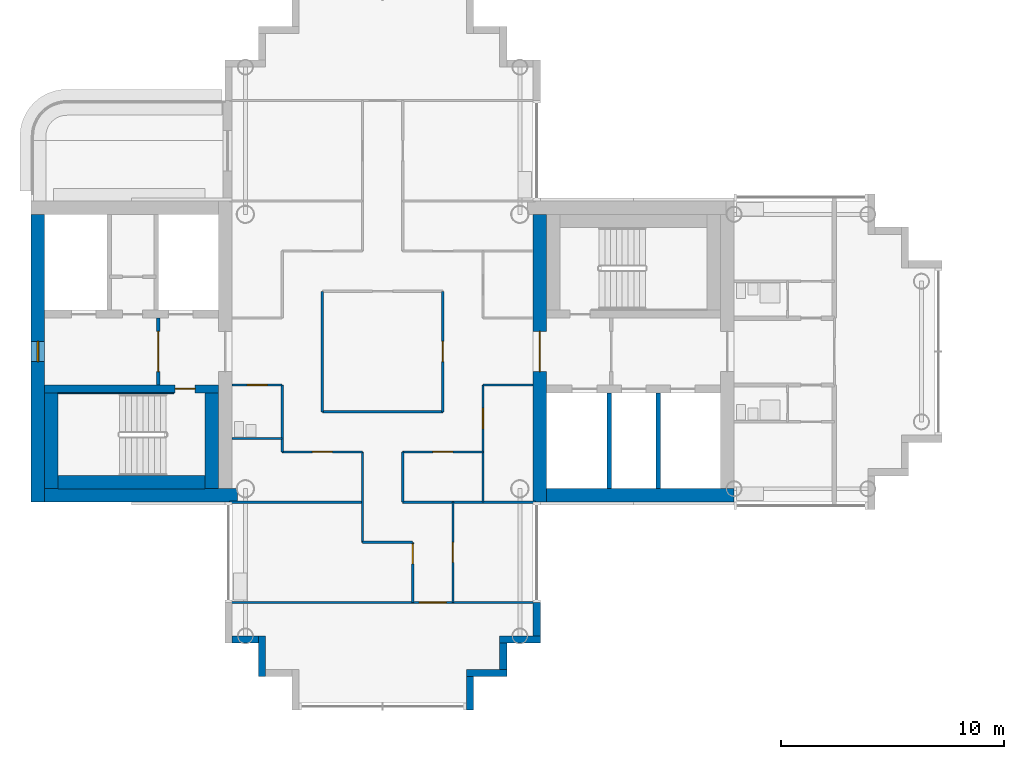
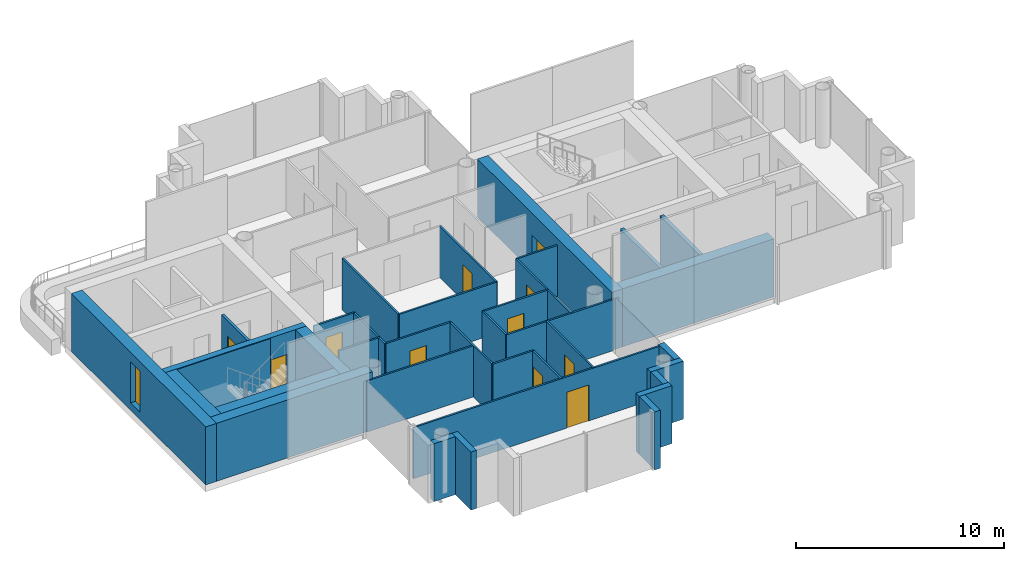
# One storey, part 6 of 18: 37 walls, 11 doors, 1 window, 12 openings.
"""IFC4 building model written with IfcOpenShell, lengths in metres."""

from ifc_helpers import new_model, si_unit, direction, frame, frame_2d, origin, place, context, subcontext, project, spatial, rectangle, extrude, material, layer, layer_set, type_object, element, fill, save


model = new_model("IFC4")

# Units and contexts
model_context = context("Model", 3, precision=1e-05, world=origin(), true_north=direction((0.0, 1.0)))
body_context = subcontext(model_context, "Body", "Model", "MODEL_VIEW")
ifc_project = project(units=[si_unit("LENGTHUNIT", "METRE"), si_unit("AREAUNIT", "SQUARE_METRE"), si_unit("VOLUMEUNIT", "CUBIC_METRE"), si_unit("PLANEANGLEUNIT", "RADIAN"), si_unit("MASSUNIT", "GRAM", prefix="KILO")], contexts=[model_context])

# Site, building, storey
site_placement = place(None, origin())
site = spatial("IfcSite", under=ifc_project, at=site_placement, CompositionType="ELEMENT")
building_placement = place(site_placement, origin())
building = spatial("IfcBuilding", under=site, at=building_placement, Name="Ipe Terrace Towers", CompositionType="ELEMENT")
storey_placement = place(building_placement, frame((0.0, 0.0, 213.0)))
storey = spatial("IfcBuildingStorey", under=building, at=storey_placement, Name="L59", CompositionType="ELEMENT", Elevation=213.0)

# Walls
ifc_material_1 = material(Name="Concrete C40/50 with buff precast cladding", Category="concrete")
ifc_layer_1 = layer(ifc_material_1, 0.320068359375)
ifc_layer_set_1 = layer_set([ifc_layer_1], Name="BUFF CLADDING WALL 320")
wall_type_1 = type_object("IfcWallType", Name="BUFF CLADDING WALL 320", PredefinedType="STANDARD", material=ifc_layer_set_1)
wall_1_placement = place(storey_placement, frame((-42.75, -12.909912109375, -0.300048828125), z_axis=(0.0, 0.0, 1.0), x_axis=(1.0, 0.0, 0.0)))
element("IfcWall", 1, at=wall_1_placement, inside=storey, type_object=wall_type_1, Name="T1-W-L59-04a wall", PredefinedType="STANDARD", context=body_context, shape_type="SweptSolid", body=[
    extrude(rectangle(XDim=1.179931640625, YDim=0.320068359375, at=frame_2d((0.58984375, 0.0))), origin(), (0.0, 0.0, 1.0), 3.400146484375),
])
wall_2_placement = place(storey_placement, frame((-41.409912109375, -12.75, -0.300048828125), z_axis=(0.0, 0.0, 1.0), x_axis=(0.0, -1.0, 0.0)))
element("IfcWall", 2, at=wall_2_placement, inside=storey, type_object=wall_type_1, Name="T1-W-L59-05a wall", PredefinedType="STANDARD", context=body_context, shape_type="SweptSolid", body=[
    extrude(rectangle(XDim=1.820068359375, YDim=0.320068359375, at=frame_2d((0.91015625, 0.0))), origin(), (0.0, 0.0, 1.0), 3.400146484375),
])
wall_3_placement = place(storey_placement, frame((-32.090087890625, -16.070068359375, -0.300048828125), z_axis=(0.0, 0.0, 1.0), x_axis=(0.0, 1.0, 0.0)))
element("IfcWall", 3, at=wall_3_placement, inside=storey, type_object=wall_type_1, Name="T1-W-L59-09a wall", PredefinedType="STANDARD", context=body_context, shape_type="SweptSolid", body=[
    extrude(rectangle(XDim=1.5, YDim=0.320068359375, at=frame_2d((0.75, 0.0))), origin(), (0.0, 0.0, 1.0), 3.400146484375),
])
wall_4_placement = place(storey_placement, frame((-32.25, -14.409912109375, -0.300048828125), z_axis=(0.0, 0.0, 1.0), x_axis=(1.0, 0.0, 0.0)))
element("IfcWall", 4, at=wall_4_placement, inside=storey, type_object=wall_type_1, Name="T1-W-L59-10a wall", PredefinedType="STANDARD", context=body_context, shape_type="SweptSolid", body=[
    extrude(rectangle(XDim=1.820068359375, YDim=0.320068359375, at=frame_2d((0.91015625, 0.0))), origin(), (0.0, 0.0, 1.0), 3.400146484375),
])
wall_5_placement = place(storey_placement, frame((-30.590087890625, -14.25, -0.300048828125), z_axis=(0.0, 0.0, 1.0), x_axis=(0.0, 1.0, 0.0)))
element("IfcWall", 5, at=wall_5_placement, inside=storey, type_object=wall_type_1, Name="T1-W-L59-11a wall", PredefinedType="STANDARD", context=body_context, shape_type="SweptSolid", body=[
    extrude(rectangle(XDim=1.179931640625, YDim=0.320068359375, at=frame_2d((0.58984375, 0.0))), origin(), (0.0, 0.0, 1.0), 3.400146484375),
])
wall_6_placement = place(storey_placement, frame((-30.75, -12.909912109375, -0.300048828125), z_axis=(0.0, 0.0, 1.0), x_axis=(1.0, 0.0, 0.0)))
element("IfcWall", 6, at=wall_6_placement, inside=storey, type_object=wall_type_1, Name="T1-W-L59-12a wall", PredefinedType="STANDARD", context=body_context, shape_type="SweptSolid", body=[
    extrude(rectangle(XDim=1.820068359375, YDim=0.320068359375, at=frame_2d((0.91015625, 0.0))), origin(), (0.0, 0.0, 1.0), 3.400146484375),
])
wall_7_placement = place(storey_placement, frame((-29.090087890625, -12.75, -0.300048828125), z_axis=(0.0, 0.0, 1.0), x_axis=(0.0, 1.0, 0.0)))
element("IfcWall", 7, at=wall_7_placement, inside=storey, type_object=wall_type_1, Name="T1-W-L59-13a wall", PredefinedType="STANDARD", context=body_context, shape_type="SweptSolid", body=[
    extrude(rectangle(XDim=1.5, YDim=0.320068359375, at=frame_2d((0.75, 0.0))), origin(), (0.0, 0.0, 1.0), 3.400146484375),
])
ifc_material_2 = material(Name="Gypsum board partition", Category="plasterboard")
ifc_layer_2 = layer(ifc_material_2, 0.10009765625)
ifc_layer_set_2 = layer_set([ifc_layer_2], Name="Gypsum board partition 100 mm")
wall_type_2 = type_object("IfcWallType", Name="Gypsum board partition 100 mm", PredefinedType="PARTITIONING", material=ifc_layer_set_2)
wall_8_placement = place(storey_placement, frame((-40.5, -4.5, 0.0), z_axis=(0.0, 0.0, 1.0), x_axis=(0.0, 1.0, 0.0)))
element("IfcWall", 8, at=wall_8_placement, inside=storey, type_object=wall_type_2, Name="Gypsum board partition T1 L59 W01", PredefinedType="PARTITIONING", context=body_context, shape_type="SweptSolid", body=[
    extrude(rectangle(XDim=3.0, YDim=0.10009765625, at=frame_2d((1.5, 0.0))), origin(), (0.0, 0.0, 1.0), 3.0),
])
wall_9_placement = place(storey_placement, frame((-38.699951171875, -2.699951171875, 0.0), z_axis=(0.0, 0.0, 1.0), x_axis=(0.0, 1.0, 0.0)))
element("IfcWall", 9, at=wall_9_placement, inside=storey, type_object=wall_type_2, Name="Gypsum board partition T1 L59 W03", PredefinedType="PARTITIONING", context=body_context, shape_type="SweptSolid", body=[
    extrude(rectangle(XDim=5.39990234375, YDim=0.10009765625, at=frame_2d((2.699951171875, 0.0))), origin(), (0.0, 0.0, 1.0), 3.0),
])
wall_10_placement = place(storey_placement, frame((-36.89990234375, -8.550048828125, 0.0), z_axis=(0.0, 0.0, 1.0), x_axis=(0.0, 1.0, 0.0)))
element("IfcWall", 10, at=wall_10_placement, inside=storey, type_object=wall_type_2, Name="Gypsum board partition T1 L59 W04", PredefinedType="PARTITIONING", context=body_context, shape_type="SweptSolid", body=[
    extrude(rectangle(XDim=4.050048828125, YDim=0.10009765625, at=frame_2d((2.02490234375, 0.0))), origin(), (0.0, 0.0, 1.0), 3.0),
])
wall_11_placement = place(storey_placement, frame((-35.10009765625, -6.75, 0.0), z_axis=(0.0, 0.0, 1.0), x_axis=(0.0, 1.0, 0.0)))
element("IfcWall", 11, at=wall_11_placement, inside=storey, type_object=wall_type_2, Name="Gypsum board partition T1 L59 W06", PredefinedType="PARTITIONING", context=body_context, shape_type="SweptSolid", body=[
    extrude(rectangle(XDim=2.25, YDim=0.10009765625, at=frame_2d((1.125, 0.0))), origin(), (0.0, 0.0, 1.0), 3.0),
])

# Wall, opening, door
wall_12_placement = place(storey_placement, frame((-34.64990234375, -11.25, 0.0), z_axis=(0.0, 0.0, 1.0), x_axis=(0.0, 1.0, 0.0)))
wall_12 = element("IfcWall", 12, at=wall_12_placement, inside=storey, type_object=wall_type_2, Name="Gypsum board partition T1 L59 W08", PredefinedType="PARTITIONING", context=body_context, shape_type="SweptSolid", body=[
    extrude(rectangle(XDim=2.699951171875, YDim=0.10009765625, at=frame_2d((1.35009765625, 0.0))), origin(), (0.0, 0.0, 1.0), 3.0),
])
opening_1_placement = place(wall_12_placement, frame((1.72998046875, 0.0, 0.0)))
opening_1 = element("IfcOpeningElement", 13, at=opening_1_placement, cuts=wall_12, Name="Opening T1-Z4E-14", PredefinedType="OPENING", context=body_context, shape_type="SweptSolid", body=[
    extrude(rectangle(XDim=0.89990234375, YDim=2.10009765625, at=frame_2d((0.449951171875, 1.050048828125))), frame((0.0, 0.06005859375, 0.0), z_axis=(0.0, -1.0, 0.0), x_axis=(1.0, 0.0, 0.0)), (0.0, 0.0, 1.0), 0.1201171875),
])
ifc_material_3 = material(Name="Timber door leaf", Category="wood")
door_type_1 = type_object("IfcDoorType", Name="Lounge door 900 x 2100", OperationType="NOTDEFINED", PredefinedType="DOOR", material=ifc_material_3)
door_1_placement = place(opening_1_placement, origin())
door_1 = element("IfcDoor", 14, at=door_1_placement, inside=storey, type_object=door_type_1, Name="Lounge door T1-Z4E-14", OperationType="SINGLE_SWING_LEFT", OverallHeight=2.10009765625, OverallWidth=0.89990234375, PredefinedType="DOOR", context=body_context, shape_type="SweptSolid", body=[
    extrude(rectangle(XDim=0.89990234375, YDim=2.10009765625, at=frame_2d((0.449951171875, 1.050048828125))), frame((0.0, 0.02490234375, 0.0), z_axis=(0.0, -1.0, 0.0), x_axis=(1.0, 0.0, 0.0)), (0.0, 0.0, 1.0), 0.050048828125),
])
fill(opening_1, door_1)

wall_13_placement = place(storey_placement, frame((-33.300048828125, -2.699951171875, 0.0), z_axis=(0.0, 0.0, 1.0), x_axis=(0.0, 1.0, 0.0)))
wall_13 = element("IfcWall", 15, at=wall_13_placement, inside=storey, type_object=wall_type_2, Name="Gypsum board partition T1 L59 W09", PredefinedType="PARTITIONING", context=body_context, shape_type="SweptSolid", body=[
    extrude(rectangle(XDim=5.39990234375, YDim=0.10009765625, at=frame_2d((2.699951171875, 0.0))), origin(), (0.0, 0.0, 1.0), 3.0),
])
opening_2_placement = place(wall_13_placement, frame((2.25, 0.0, 0.0)))
opening_2 = element("IfcOpeningElement", 16, at=opening_2_placement, cuts=wall_13, Name="Opening T1-Z4E-02", PredefinedType="OPENING", context=body_context, shape_type="SweptSolid", body=[
    extrude(rectangle(XDim=0.89990234375, YDim=2.10009765625, at=frame_2d((0.449951171875, 1.050048828125))), frame((0.0, 0.06005859375, 0.0), z_axis=(0.0, -1.0, 0.0), x_axis=(1.0, 0.0, 0.0)), (0.0, 0.0, 1.0), 0.1201171875),
])
door_2_placement = place(opening_2_placement, origin())
door_2 = element("IfcDoor", 17, at=door_2_placement, inside=storey, type_object=door_type_1, Name="Lounge door T1-Z4E-02", OperationType="SINGLE_SWING_LEFT", OverallHeight=2.10009765625, OverallWidth=0.89990234375, PredefinedType="DOOR", context=body_context, shape_type="SweptSolid", body=[
    extrude(rectangle(XDim=0.89990234375, YDim=2.10009765625, at=frame_2d((0.449951171875, 1.050048828125))), frame((0.0, 0.02490234375, 0.0), z_axis=(0.0, -1.0, 0.0), x_axis=(1.0, 0.0, 0.0)), (0.0, 0.0, 1.0), 0.050048828125),
])
fill(opening_2, door_2)

wall_14_placement = place(storey_placement, frame((-32.85009765625, -11.25, 0.0), z_axis=(0.0, 0.0, 1.0), x_axis=(0.0, 1.0, 0.0)))
wall_14 = element("IfcWall", 18, at=wall_14_placement, inside=storey, type_object=wall_type_2, Name="Gypsum board partition T1 L59 W10", PredefinedType="PARTITIONING", context=body_context, shape_type="SweptSolid", body=[
    extrude(rectangle(XDim=4.5, YDim=0.10009765625, at=frame_2d((2.25, 0.0))), origin(), (0.0, 0.0, 1.0), 3.0),
])
opening_3_placement = place(wall_14_placement, frame((1.800048828125, 0.0, 0.0)))
opening_3 = element("IfcOpeningElement", 19, at=opening_3_placement, cuts=wall_14, Name="Opening T1-Z4E-13", PredefinedType="OPENING", context=body_context, shape_type="SweptSolid", body=[
    extrude(rectangle(XDim=0.89990234375, YDim=2.10009765625, at=frame_2d((0.449951171875, 1.050048828125))), frame((0.0, 0.06005859375, 0.0), z_axis=(0.0, -1.0, 0.0), x_axis=(1.0, 0.0, 0.0)), (0.0, 0.0, 1.0), 0.1201171875),
])
door_3_placement = place(opening_3_placement, origin())
door_3 = element("IfcDoor", 20, at=door_3_placement, inside=storey, type_object=door_type_1, Name="Lounge door T1-Z4E-13", OperationType="SINGLE_SWING_RIGHT", OverallHeight=2.10009765625, OverallWidth=0.89990234375, PredefinedType="DOOR", context=body_context, shape_type="SweptSolid", body=[
    extrude(rectangle(XDim=0.89990234375, YDim=2.10009765625, at=frame_2d((0.449951171875, 1.050048828125))), frame((0.0, 0.02490234375, 0.0), z_axis=(0.0, -1.0, 0.0), x_axis=(1.0, 0.0, 0.0)), (0.0, 0.0, 1.0), 0.050048828125),
])
fill(opening_3, door_3)

wall_15_placement = place(storey_placement, frame((-31.5, -6.75, 0.0), z_axis=(0.0, 0.0, 1.0), x_axis=(0.0, 1.0, 0.0)))
wall_15 = element("IfcWall", 21, at=wall_15_placement, inside=storey, type_object=wall_type_2, Name="Gypsum board partition T1 L59 W11", PredefinedType="PARTITIONING", context=body_context, shape_type="SweptSolid", body=[
    extrude(rectangle(XDim=5.25, YDim=0.10009765625, at=frame_2d((2.625, 0.0))), origin(), (0.0, 0.0, 1.0), 3.0),
])
opening_4_placement = place(wall_15_placement, frame((3.300048828125, 0.0, 0.0)))
opening_4 = element("IfcOpeningElement", 22, at=opening_4_placement, cuts=wall_15, Name="Opening T1-Z4E-09", PredefinedType="OPENING", context=body_context, shape_type="SweptSolid", body=[
    extrude(rectangle(XDim=0.89990234375, YDim=2.10009765625, at=frame_2d((0.449951171875, 1.050048828125))), frame((0.0, 0.06005859375, 0.0), z_axis=(0.0, -1.0, 0.0), x_axis=(1.0, 0.0, 0.0)), (0.0, 0.0, 1.0), 0.1201171875),
])
door_4_placement = place(opening_4_placement, origin())
door_4 = element("IfcDoor", 23, at=door_4_placement, inside=storey, type_object=door_type_1, Name="Lounge door T1-Z4E-09", OperationType="SINGLE_SWING_RIGHT", OverallHeight=2.10009765625, OverallWidth=0.89990234375, PredefinedType="DOOR", context=body_context, shape_type="SweptSolid", body=[
    extrude(rectangle(XDim=0.89990234375, YDim=2.10009765625, at=frame_2d((0.449951171875, 1.050048828125))), frame((0.0, 0.02490234375, 0.0), z_axis=(0.0, -1.0, 0.0), x_axis=(1.0, 0.0, 0.0)), (0.0, 0.0, 1.0), 0.050048828125),
])
fill(opening_4, door_4)

wall_16_placement = place(storey_placement, frame((-42.85009765625, -11.25, 0.0), z_axis=(0.0, 0.0, 1.0), x_axis=(1.0, 0.0, 0.0)))
wall_16 = element("IfcWall", 24, at=wall_16_placement, inside=storey, type_object=wall_type_2, Name="Gypsum board partition T1 L59 W18", PredefinedType="PARTITIONING", context=body_context, shape_type="SweptSolid", body=[
    extrude(rectangle(XDim=13.7001953125, YDim=0.10009765625, at=frame_2d((6.85009765625, 0.0))), origin(), (0.0, 0.0, 1.0), 3.0),
])
opening_5_placement = place(wall_16_placement, frame((8.5, 0.0, 0.0)))
opening_5 = element("IfcOpeningElement", 25, at=opening_5_placement, cuts=wall_16, Name="Opening T1-Z4E-15", PredefinedType="OPENING", context=body_context, shape_type="SweptSolid", body=[
    extrude(rectangle(XDim=1.199951171875, YDim=2.10009765625, at=frame_2d((0.60009765625, 1.050048828125))), frame((0.0, 0.06005859375, 0.0), z_axis=(0.0, -1.0, 0.0), x_axis=(1.0, 0.0, 0.0)), (0.0, 0.0, 1.0), 0.1201171875),
])
ifc_material_4 = material(Name="Timber door leaf", Category="wood")
door_type_2 = type_object("IfcDoorType", Name="Lounge door 1200 x 2100", OperationType="NOTDEFINED", PredefinedType="DOOR", material=ifc_material_4)
door_5_placement = place(opening_5_placement, origin())
door_5 = element("IfcDoor", 26, at=door_5_placement, inside=storey, type_object=door_type_2, Name="Lounge door T1-Z4E-15", OperationType="SINGLE_SWING_RIGHT", OverallHeight=2.10009765625, OverallWidth=1.199951171875, PredefinedType="DOOR", context=body_context, shape_type="SweptSolid", body=[
    extrude(rectangle(XDim=1.199951171875, YDim=2.10009765625, at=frame_2d((0.60009765625, 1.050048828125))), frame((0.0, 0.02490234375, 0.0), z_axis=(0.0, -1.0, 0.0), x_axis=(1.0, 0.0, 0.0)), (0.0, 0.0, 1.0), 0.050048828125),
])
fill(opening_5, door_5)

# Walls
wall_17_placement = place(storey_placement, frame((-36.89990234375, -8.550048828125, 0.0), z_axis=(0.0, 0.0, 1.0), x_axis=(1.0, 0.0, 0.0)))
element("IfcWall", 27, at=wall_17_placement, inside=storey, type_object=wall_type_2, Name="Gypsum board partition T1 L59 W19", PredefinedType="PARTITIONING", context=body_context, shape_type="SweptSolid", body=[
    extrude(rectangle(XDim=2.25, YDim=0.10009765625, at=frame_2d((1.125, 0.0))), origin(), (0.0, 0.0, 1.0), 3.0),
])
for number, where, z_axis, x_axis, name in (
    (28, (-42.85009765625, -6.75, 0.0), (0.0, 0.0, 1.0), (1.0, 0.0, 0.0), "Gypsum board partition T1 L59 W20"),
    (29, (-35.10009765625, -6.75, 0.0), (0.0, 0.0, 1.0), (1.0, 0.0, 0.0), "Gypsum board partition T1 L59 W21"),
):
    element("IfcWall", number, at=place(storey_placement, frame(where, z_axis=z_axis, x_axis=x_axis)), inside=storey, type_object=wall_type_2, Name=name, PredefinedType="PARTITIONING", context=body_context, shape_type="SweptSolid", body=[
        extrude(rectangle(XDim=5.9501953125, YDim=0.10009765625, at=frame_2d((2.97509765625, 0.0))), origin(), (0.0, 0.0, 1.0), 3.0),
    ])

# Wall, opening, door
wall_18_placement = place(storey_placement, frame((-40.5, -4.5, 0.0), z_axis=(0.0, 0.0, 1.0), x_axis=(1.0, 0.0, 0.0)))
wall_18 = element("IfcWall", 30, at=wall_18_placement, inside=storey, type_object=wall_type_2, Name="Gypsum board partition T1 L59 W22", PredefinedType="PARTITIONING", context=body_context, shape_type="SweptSolid", body=[
    extrude(rectangle(XDim=3.60009765625, YDim=0.10009765625, at=frame_2d((1.800048828125, 0.0))), origin(), (0.0, 0.0, 1.0), 3.0),
])
opening_6_placement = place(wall_18_placement, frame((1.35009765625, 0.0, 0.0)))
opening_6 = element("IfcOpeningElement", 31, at=opening_6_placement, cuts=wall_18, Name="Opening T1-Z4E-07", PredefinedType="OPENING", context=body_context, shape_type="SweptSolid", body=[
    extrude(rectangle(XDim=0.89990234375, YDim=2.10009765625, at=frame_2d((0.449951171875, 1.050048828125))), frame((0.0, 0.06005859375, 0.0), z_axis=(0.0, -1.0, 0.0), x_axis=(1.0, 0.0, 0.0)), (0.0, 0.0, 1.0), 0.1201171875),
])
door_6_placement = place(opening_6_placement, origin())
door_6 = element("IfcDoor", 32, at=door_6_placement, inside=storey, type_object=door_type_1, Name="Lounge door T1-Z4E-07", OperationType="SINGLE_SWING_LEFT", OverallHeight=2.10009765625, OverallWidth=0.89990234375, PredefinedType="DOOR", context=body_context, shape_type="SweptSolid", body=[
    extrude(rectangle(XDim=0.89990234375, YDim=2.10009765625, at=frame_2d((0.449951171875, 1.050048828125))), frame((0.0, 0.02490234375, 0.0), z_axis=(0.0, -1.0, 0.0), x_axis=(1.0, 0.0, 0.0)), (0.0, 0.0, 1.0), 0.050048828125),
])
fill(opening_6, door_6)

wall_19_placement = place(storey_placement, frame((-35.10009765625, -4.5, 0.0), z_axis=(0.0, 0.0, 1.0), x_axis=(1.0, 0.0, 0.0)))
wall_19 = element("IfcWall", 33, at=wall_19_placement, inside=storey, type_object=wall_type_2, Name="Gypsum board partition T1 L59 W23", PredefinedType="PARTITIONING", context=body_context, shape_type="SweptSolid", body=[
    extrude(rectangle(XDim=3.60009765625, YDim=0.10009765625, at=frame_2d((1.800048828125, 0.0))), origin(), (0.0, 0.0, 1.0), 3.0),
])
opening_7_placement = place(wall_19_placement, frame((1.35009765625, 0.0, 0.0)))
opening_7 = element("IfcOpeningElement", 34, at=opening_7_placement, cuts=wall_19, Name="Opening T1-Z4E-08", PredefinedType="OPENING", context=body_context, shape_type="SweptSolid", body=[
    extrude(rectangle(XDim=0.89990234375, YDim=2.10009765625, at=frame_2d((0.449951171875, 1.050048828125))), frame((0.0, 0.06005859375, 0.0), z_axis=(0.0, -1.0, 0.0), x_axis=(1.0, 0.0, 0.0)), (0.0, 0.0, 1.0), 0.1201171875),
])
door_7_placement = place(opening_7_placement, origin())
door_7 = element("IfcDoor", 35, at=door_7_placement, inside=storey, type_object=door_type_1, Name="Lounge door T1-Z4E-08", OperationType="SINGLE_SWING_RIGHT", OverallHeight=2.10009765625, OverallWidth=0.89990234375, PredefinedType="DOOR", context=body_context, shape_type="SweptSolid", body=[
    extrude(rectangle(XDim=0.89990234375, YDim=2.10009765625, at=frame_2d((0.449951171875, 1.050048828125))), frame((0.0, 0.02490234375, 0.0), z_axis=(0.0, -1.0, 0.0), x_axis=(1.0, 0.0, 0.0)), (0.0, 0.0, 1.0), 0.050048828125),
])
fill(opening_7, door_7)

# Walls
wall_20_placement = place(storey_placement, frame((-42.75, -3.89990234375, 0.0), z_axis=(0.0, 0.0, 1.0), x_axis=(1.0, 0.0, 0.0)))
element("IfcWall", 36, at=wall_20_placement, inside=storey, type_object=wall_type_2, Name="Gypsum board partition T1 L59 W24", PredefinedType="PARTITIONING", context=body_context, shape_type="SweptSolid", body=[
    extrude(rectangle(XDim=2.25, YDim=0.10009765625, at=frame_2d((1.125, 0.0))), origin(), (0.0, 0.0, 1.0), 3.0),
])
wall_21_placement = place(storey_placement, frame((-38.699951171875, -2.699951171875, 0.0), z_axis=(0.0, 0.0, 1.0), x_axis=(1.0, 0.0, 0.0)))
element("IfcWall", 37, at=wall_21_placement, inside=storey, type_object=wall_type_2, Name="Gypsum board partition T1 L59 W26", PredefinedType="PARTITIONING", context=body_context, shape_type="SweptSolid", body=[
    extrude(rectangle(XDim=5.39990234375, YDim=0.10009765625, at=frame_2d((2.699951171875, 0.0))), origin(), (0.0, 0.0, 1.0), 3.0),
])

# Wall, opening, door
wall_22_placement = place(storey_placement, frame((-42.75, -1.5, 0.0), z_axis=(0.0, 0.0, 1.0), x_axis=(1.0, 0.0, 0.0)))
wall_22 = element("IfcWall", 38, at=wall_22_placement, inside=storey, type_object=wall_type_2, Name="Gypsum board partition T1 L59 W27", PredefinedType="PARTITIONING", context=body_context, shape_type="SweptSolid", body=[
    extrude(rectangle(XDim=2.25, YDim=0.10009765625, at=frame_2d((1.125, 0.0))), origin(), (0.0, 0.0, 1.0), 3.0),
])
opening_8_placement = place(wall_22_placement, frame((0.675048828125, 0.0, 0.0)))
opening_8 = element("IfcOpeningElement", 39, at=opening_8_placement, cuts=wall_22, Name="Opening T1-Z4E-03", PredefinedType="OPENING", context=body_context, shape_type="SweptSolid", body=[
    extrude(rectangle(XDim=0.89990234375, YDim=2.10009765625, at=frame_2d((0.449951171875, 1.050048828125))), frame((0.0, 0.06005859375, 0.0), z_axis=(0.0, -1.0, 0.0), x_axis=(1.0, 0.0, 0.0)), (0.0, 0.0, 1.0), 0.1201171875),
])
ifc_material_5 = material(Name="Timber door leaf", Category="wood")
door_type_3 = type_object("IfcDoorType", Name="Bathroom door 900 x 2100", OperationType="NOTDEFINED", PredefinedType="DOOR", material=ifc_material_5)
door_8_placement = place(opening_8_placement, origin())
door_8 = element("IfcDoor", 40, at=door_8_placement, inside=storey, type_object=door_type_3, Name="Bathroom door T1-Z4E-03", OperationType="SINGLE_SWING_RIGHT", OverallHeight=2.10009765625, OverallWidth=0.89990234375, PredefinedType="DOOR", context=body_context, shape_type="SweptSolid", body=[
    extrude(rectangle(XDim=0.89990234375, YDim=2.10009765625, at=frame_2d((0.449951171875, 1.050048828125))), frame((0.0, 0.02490234375, 0.0), z_axis=(0.0, -1.0, 0.0), x_axis=(1.0, 0.0, 0.0)), (0.0, 0.0, 1.0), 0.050048828125),
])
fill(opening_8, door_8)

# Wall
wall_23_placement = place(storey_placement, frame((-31.5, -1.5, 0.0), z_axis=(0.0, 0.0, 1.0), x_axis=(1.0, 0.0, 0.0)))
element("IfcWall", 41, at=wall_23_placement, inside=storey, type_object=wall_type_2, Name="Gypsum board partition T1 L59 W28", PredefinedType="PARTITIONING", context=body_context, shape_type="SweptSolid", body=[
    extrude(rectangle(XDim=2.25, YDim=0.10009765625, at=frame_2d((1.125, 0.0))), origin(), (0.0, 0.0, 1.0), 3.0),
])

# Wall, opening, door
ifc_material_6 = material(Name="Gypsum board partition", Category="plasterboard")
ifc_layer_3 = layer(ifc_material_6, 0.14990234375)
ifc_layer_set_3 = layer_set([ifc_layer_3], Name="Gypsum board partition 150 mm")
wall_type_3 = type_object("IfcWallType", Name="Gypsum board partition 150 mm", PredefinedType="PARTITIONING", material=ifc_layer_set_3)
wall_24_placement = place(storey_placement, frame((-46.050048828125, 1.5, 0.0), z_axis=(0.0, 0.0, 1.0), x_axis=(0.0, -1.0, 0.0)))
wall_24 = element("IfcWall", 42, at=wall_24_placement, inside=storey, type_object=wall_type_3, Name="Gypsum board partition T1 L59 t1c2-lobby-wall", PredefinedType="PARTITIONING", context=body_context, shape_type="SweptSolid", body=[
    extrude(rectangle(XDim=3.0, YDim=0.14990234375, at=frame_2d((1.5, 0.0))), origin(), (0.0, 0.0, 1.0), 3.0),
])
opening_9_placement = place(wall_24_placement, frame((0.60009765625, 0.0, 0.0)))
opening_9 = element("IfcOpeningElement", 43, at=opening_9_placement, cuts=wall_24, Name="Opening T1C2-VD", PredefinedType="OPENING", context=body_context, shape_type="SweptSolid", body=[
    extrude(rectangle(XDim=1.800048828125, YDim=2.10009765625, at=frame_2d((0.89990234375, 1.050048828125))), frame((0.0, 0.0849609375, 0.0), z_axis=(0.0, -1.0, 0.0), x_axis=(1.0, 0.0, 0.0)), (0.0, 0.0, 1.0), 0.169921875),
])
ifc_material_7 = material(Name="Fire-rated timber door leaf", Category="wood")
door_type_4 = type_object("IfcDoorType", Name="Lobby door 1800 x 2100 FD60", OperationType="NOTDEFINED", PredefinedType="DOOR", material=ifc_material_7)
door_9_placement = place(opening_9_placement, origin())
door_9 = element("IfcDoor", 44, at=door_9_placement, inside=storey, type_object=door_type_4, Name="Lobby door T1C2-VD", OperationType="SINGLE_SWING_LEFT", OverallHeight=2.10009765625, OverallWidth=1.800048828125, PredefinedType="DOOR", context=body_context, shape_type="SweptSolid", body=[
    extrude(rectangle(XDim=1.800048828125, YDim=2.10009765625, at=frame_2d((0.89990234375, 1.050048828125))), frame((0.0, 0.02490234375, 0.0), z_axis=(0.0, -1.0, 0.0), x_axis=(1.0, 0.0, 0.0)), (0.0, 0.0, 1.0), 0.050048828125),
])
fill(opening_9, door_9)

# Walls
ifc_material_8 = material(Name="Gypsum board party wall", Category="plasterboard")
ifc_layer_4 = layer(ifc_material_8, 0.199951171875)
ifc_layer_set_4 = layer_set([ifc_layer_4], Name="Gypsum board party wall 200 mm")
wall_type_4 = type_object("IfcWallType", Name="Gypsum board party wall 200 mm", PredefinedType="SOLIDWALL", material=ifc_layer_set_4)
for number, where, z_axis, x_axis, name in (
    (45, (-25.85009765625, -6.14990234375, 0.0), (0.0, 0.0, 1.0), (0.0, 1.0, 0.0), "Gypsum board party wall T1 L59 t1c1-shaft-div1"),
    (46, (-23.64990234375, -6.14990234375, 0.0), (0.0, 0.0, 1.0), (0.0, 1.0, 0.0), "Gypsum board party wall T1 L59 t1c1-shaft-div2"),
):
    element("IfcWall", number, at=place(storey_placement, frame(where, z_axis=z_axis, x_axis=x_axis)), inside=storey, type_object=wall_type_4, Name=name, PredefinedType="SOLIDWALL", context=body_context, shape_type="SweptSolid", body=[
        extrude(rectangle(XDim=4.2998046875, YDim=0.199951171875, at=frame_2d((2.14990234375, 0.0))), origin(), (0.0, 0.0, 1.0), 3.0),
    ])

# Wall, opening, door
ifc_material_9 = material(Name="Concrete C40/50", Category="concrete")
ifc_layer_5 = layer(ifc_material_9, 0.35009765625)
ifc_layer_set_5 = layer_set([ifc_layer_5], Name="RW350 CORE SPINE WALL 350 C40-50")
wall_type_5 = type_object("IfcWallType", Name="RW350 CORE SPINE WALL 350 C40-50", PredefinedType="SHEAR", material=ifc_layer_set_5)
wall_25_placement = place(storey_placement, frame((-51.14990234375, -1.675048828125, 0.0), z_axis=(0.0, 0.0, 1.0), x_axis=(1.0, 0.0, 0.0)))
wall_25 = element("IfcWall", 47, at=wall_25_placement, inside=storey, type_object=wall_type_5, Name="Core spine wall T1-C2-Z4-SW1", PredefinedType="SHEAR", context=body_context, shape_type="SweptSolid", body=[
    extrude(rectangle(XDim=7.7998046875, YDim=0.35009765625, at=frame_2d((3.89990234375, 0.0))), origin(), (0.0, 0.0, 1.0), 3.39990234375),
])
opening_10_placement = place(wall_25_placement, frame((5.85009765625, 0.0, 0.0)))
opening_10 = element("IfcOpeningElement", 48, at=opening_10_placement, cuts=wall_25, Name="Opening T1C2-SD", PredefinedType="OPENING", context=body_context, shape_type="SweptSolid", body=[
    extrude(rectangle(XDim=0.89990234375, YDim=2.10009765625, at=frame_2d((0.449951171875, 1.050048828125))), frame((0.0, 0.18505859375, 0.0), z_axis=(0.0, -1.0, 0.0), x_axis=(1.0, 0.0, 0.0)), (0.0, 0.0, 1.0), 0.3701171875),
])
ifc_material_10 = material(Name="Fire-rated timber door leaf", Category="wood")
door_type_5 = type_object("IfcDoorType", Name="Stair door 900 x 2100 FD60", OperationType="NOTDEFINED", PredefinedType="DOOR", material=ifc_material_10)
door_10_placement = place(opening_10_placement, origin())
door_10 = element("IfcDoor", 49, at=door_10_placement, inside=storey, type_object=door_type_5, Name="Stair door T1C2-SD", OperationType="SINGLE_SWING_RIGHT", OverallHeight=2.10009765625, OverallWidth=0.89990234375, PredefinedType="DOOR", context=body_context, shape_type="SweptSolid", body=[
    extrude(rectangle(XDim=0.89990234375, YDim=2.10009765625, at=frame_2d((0.449951171875, 1.050048828125))), frame((0.0, 0.02490234375, 0.0), z_axis=(0.0, -1.0, 0.0), x_axis=(1.0, 0.0, 0.0)), (0.0, 0.0, 1.0), 0.050048828125),
])
fill(opening_10, door_10)

# Walls
ifc_material_11 = material(Name="Concrete C40/50", Category="concrete")
ifc_layer_6 = layer(ifc_material_11, 0.050048828125)
ifc_layer_set_6 = layer_set([ifc_layer_6], Name="RW50 CORE INFILL WALL 50 C40-50")
wall_type_6 = type_object("IfcWallType", Name="RW50 CORE INFILL WALL 50 C40-50", PredefinedType="SHEAR", material=ifc_layer_set_6)
wall_26_placement = place(storey_placement, frame((-45.35009765625, -1.875, 0.0), z_axis=(0.0, 0.0, 1.0), x_axis=(-1.0, 0.0, 0.0)))
element("IfcWall", 50, at=wall_26_placement, inside=storey, type_object=wall_type_6, Name="Core infill wall T1-C2-spine-b", PredefinedType="SHEAR", context=body_context, shape_type="SweptSolid", body=[
    extrude(rectangle(XDim=5.199951171875, YDim=0.050048828125, at=frame_2d((2.60009765625, 0.0))), origin(), (0.0, 0.0, 1.0), 3.39990234375),
])
ifc_material_12 = material(Name="Concrete C40/50", Category="concrete")
ifc_layer_7 = layer(ifc_material_12, 0.60009765625)
ifc_layer_set_7 = layer_set([ifc_layer_7], Name="RW600 CORE INFILL WALL 600 C40-50")
wall_type_7 = type_object("IfcWallType", Name="RW600 CORE INFILL WALL 600 C40-50", PredefinedType="SHEAR", material=ifc_layer_set_7)
wall_27_placement = place(storey_placement, frame((-50.85009765625, -1.85009765625, 0.0), z_axis=(0.0, 0.0, 1.0), x_axis=(0.0, -1.0, 0.0)))
element("IfcWall", 51, at=wall_27_placement, inside=storey, type_object=wall_type_7, Name="Core infill wall T1-C2-far", PredefinedType="SHEAR", context=body_context, shape_type="SweptSolid", body=[
    extrude(rectangle(XDim=4.2998046875, YDim=0.60009765625, at=frame_2d((2.14990234375, 0.0))), origin(), (0.0, 0.0, 1.0), 3.39990234375),
])
wall_28_placement = place(storey_placement, frame((-43.949951171875, -5.85009765625, 0.0), z_axis=(0.0, 0.0, 1.0), x_axis=(-1.0, 0.0, 0.0)))
element("IfcWall", 52, at=wall_28_placement, inside=storey, type_object=wall_type_7, Name="Core infill wall T1-C2-back", PredefinedType="SHEAR", context=body_context, shape_type="SweptSolid", body=[
    extrude(rectangle(XDim=6.60009765625, YDim=0.60009765625, at=frame_2d((3.300048828125, 0.0))), origin(), (0.0, 0.0, 1.0), 3.39990234375),
])
wall_29_placement = place(storey_placement, frame((-43.64990234375, -1.85009765625, 0.0), z_axis=(0.0, 0.0, 1.0), x_axis=(0.0, -1.0, 0.0)))
element("IfcWall", 53, at=wall_29_placement, inside=storey, type_object=wall_type_7, Name="Core infill wall T1-C2-near", PredefinedType="SHEAR", context=body_context, shape_type="SweptSolid", body=[
    extrude(rectangle(XDim=4.2998046875, YDim=0.60009765625, at=frame_2d((2.14990234375, 0.0))), origin(), (0.0, 0.0, 1.0), 3.39990234375),
])
ifc_material_13 = material(Name="Concrete C40/50", Category="concrete")
ifc_layer_8 = layer(ifc_material_13, 0.60009765625)
ifc_layer_set_8 = layer_set([ifc_layer_8], Name="RW600 CORE WALL 600 C40-50")
wall_type_8 = type_object("IfcWallType", Name="RW600 CORE WALL 600 C40-50", PredefinedType="SHEAR", material=ifc_layer_set_8)
wall_30_placement = place(storey_placement, frame((-28.64990234375, -6.449951171875, 0.0), z_axis=(0.0, 0.0, 1.0), x_axis=(1.0, 0.0, 0.0)))
element("IfcWall", 54, at=wall_30_placement, inside=storey, type_object=wall_type_8, Name="Core wall T1-C1-Z4-W01", PredefinedType="SHEAR", context=body_context, shape_type="SweptSolid", body=[
    extrude(rectangle(XDim=8.39990234375, YDim=0.60009765625, at=frame_2d((4.199951171875, 0.0))), origin(), (0.0, 0.0, 1.0), 3.39990234375),
])

# Wall, opening, door
wall_31_placement = place(storey_placement, frame((-28.949951171875, 6.14990234375, 0.0), z_axis=(0.0, 0.0, 1.0), x_axis=(0.0, -1.0, 0.0)))
wall_31 = element("IfcWall", 55, at=wall_31_placement, inside=storey, type_object=wall_type_8, Name="Core wall T1-C1-Z4-W04", PredefinedType="SHEAR", context=body_context, shape_type="SweptSolid", body=[
    extrude(rectangle(XDim=12.89990234375, YDim=0.60009765625, at=frame_2d((6.449951171875, 0.0))), origin(), (0.0, 0.0, 1.0), 3.39990234375),
])
opening_11_placement = place(wall_31_placement, frame((5.25, 0.0, 0.0)))
opening_11 = element("IfcOpeningElement", 56, at=opening_11_placement, cuts=wall_31, Name="Opening T1C1-ND", PredefinedType="OPENING", context=body_context, shape_type="SweptSolid", body=[
    extrude(rectangle(XDim=1.800048828125, YDim=2.10009765625, at=frame_2d((0.89990234375, 1.050048828125))), frame((0.0, 0.31005859375, 0.0), z_axis=(0.0, -1.0, 0.0), x_axis=(1.0, 0.0, 0.0)), (0.0, 0.0, 1.0), 0.6201171875),
])
ifc_material_14 = material(Name="Fire-rated timber door leaf", Category="wood")
door_type_6 = type_object("IfcDoorType", Name="Fire door 1800 x 2100 FD30S", OperationType="NOTDEFINED", PredefinedType="DOOR", material=ifc_material_14)
door_11_placement = place(opening_11_placement, origin())
door_11 = element("IfcDoor", 57, at=door_11_placement, inside=storey, type_object=door_type_6, Name="Fire door T1C1-ND", OperationType="SINGLE_SWING_LEFT", OverallHeight=2.10009765625, OverallWidth=1.800048828125, PredefinedType="DOOR", context=body_context, shape_type="SweptSolid", body=[
    extrude(rectangle(XDim=1.800048828125, YDim=2.10009765625, at=frame_2d((0.89990234375, 1.050048828125))), frame((0.0, 0.02490234375, 0.0), z_axis=(0.0, -1.0, 0.0), x_axis=(1.0, 0.0, 0.0)), (0.0, 0.0, 1.0), 0.050048828125),
])
fill(opening_11, door_11)

# Wall
wall_32_placement = place(storey_placement, frame((-51.14990234375, -6.449951171875, 0.0), z_axis=(0.0, 0.0, 1.0), x_axis=(1.0, 0.0, 0.0)))
element("IfcWall", 58, at=wall_32_placement, inside=storey, type_object=wall_type_8, Name="Core wall T1-C2-Z4-W01", PredefinedType="SHEAR", context=body_context, shape_type="SweptSolid", body=[
    extrude(rectangle(XDim=8.64794921875, YDim=0.60009765625, at=frame_2d((4.323974609375, 0.0))), origin(), (0.0, 0.0, 1.0), 3.39990234375),
])

# Wall, opening, window
wall_33_placement = place(storey_placement, frame((-51.449951171875, 6.14990234375, 0.0), z_axis=(0.0, 0.0, 1.0), x_axis=(0.0, -1.0, 0.0)))
wall_33 = element("IfcWall", 59, at=wall_33_placement, inside=storey, type_object=wall_type_8, Name="Core wall T1-C2-Z4-W04", PredefinedType="SHEAR", context=body_context, shape_type="SweptSolid", body=[
    extrude(rectangle(XDim=12.89990234375, YDim=0.60009765625, at=frame_2d((6.449951171875, 0.0))), origin(), (0.0, 0.0, 1.0), 3.39990234375),
])
opening_12_placement = place(wall_33_placement, frame((5.699951171875, 0.0, 0.449951171875)))
opening_12 = element("IfcOpeningElement", 60, at=opening_12_placement, cuts=wall_33, Name="Opening T1-C2-W-01-L59", PredefinedType="OPENING", context=body_context, shape_type="SweptSolid", body=[
    extrude(rectangle(XDim=0.89990234375, YDim=2.39990234375, at=frame_2d((0.449951171875, 1.199951171875))), frame((0.0, 0.31005859375, 0.0), z_axis=(0.0, -1.0, 0.0), x_axis=(1.0, 0.0, 0.0)), (0.0, 0.0, 1.0), 0.6201171875),
])
ifc_material_15 = material(Name="Fire-resistant glazing EI 60", Category="glass")
window_type = type_object("IfcWindowType", Name="CORRIDOR END SLOT WINDOW 900 x 2400 EI 60", PartitioningType="SINGLE_PANEL", PredefinedType="WINDOW", material=ifc_material_15)
window_placement = place(opening_12_placement, origin())
window = element("IfcWindow", 61, at=window_placement, inside=storey, type_object=window_type, Name="W-01 window", OverallHeight=2.39990234375, OverallWidth=0.89990234375, PartitioningType="SINGLE_PANEL", PredefinedType="WINDOW", context=body_context, shape_type="SweptSolid", body=[
    extrude(rectangle(XDim=0.89990234375, YDim=2.39990234375, at=frame_2d((0.449951171875, 1.199951171875))), frame((0.0, 0.030029296875, 0.0), z_axis=(0.0, -1.0, 0.0), x_axis=(1.0, 0.0, 0.0)), (0.0, 0.0, 1.0), 0.06005859375),
])
fill(opening_12, window)

save(model, "model.ifc")
